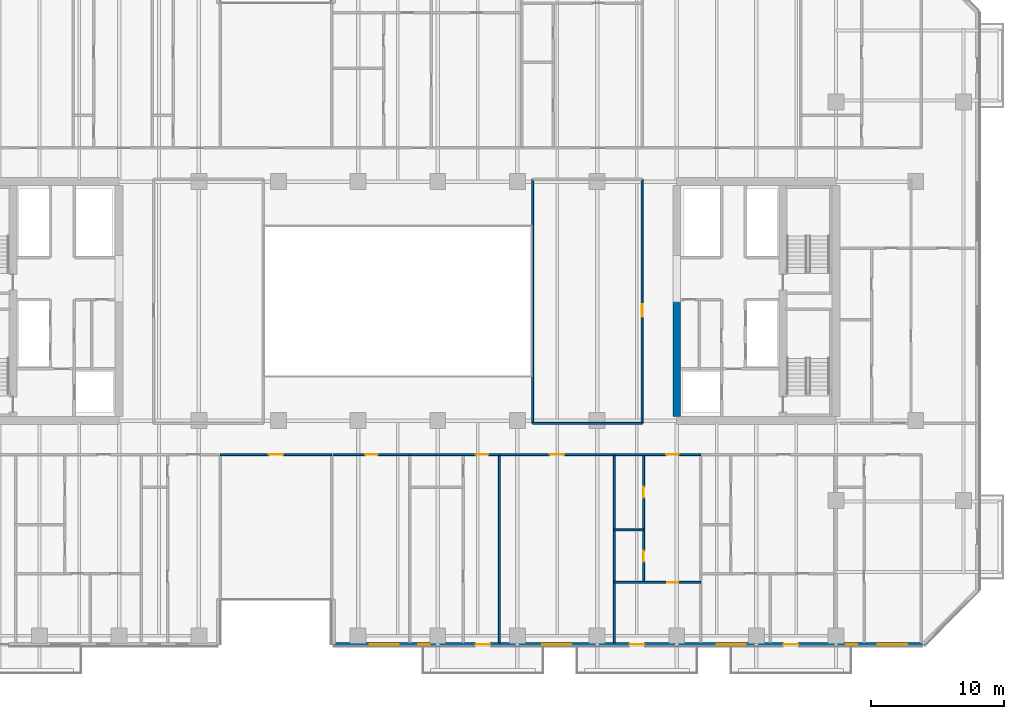
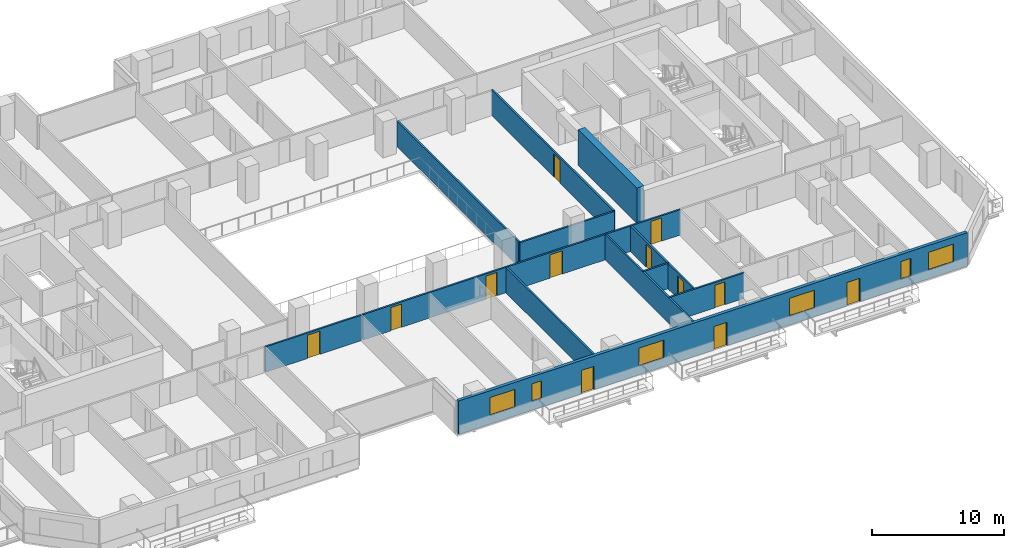
# One storey, part 12 of 26: 15 walls, 12 doors, 6 windows, 18 openings.
"""IFC4 building model written with IfcOpenShell, lengths in metres."""

from ifc_helpers import new_model, si_unit, direction, frame, frame_2d, origin, place, context, subcontext, project, spatial, rectangle, extrude, material, layer, layer_set, type_object, element, fill, save


model = new_model("IFC4")

# Units and contexts
model_context = context("Model", 3, precision=1e-05, world=origin(), true_north=direction((0.0, 1.0)))
body_context = subcontext(model_context, "Body", "Model", "MODEL_VIEW")
ifc_project = project(units=[si_unit("LENGTHUNIT", "METRE"), si_unit("AREAUNIT", "SQUARE_METRE"), si_unit("VOLUMEUNIT", "CUBIC_METRE"), si_unit("PLANEANGLEUNIT", "RADIAN"), si_unit("MASSUNIT", "GRAM", prefix="KILO")], contexts=[model_context])

# Site, building, storey
site_placement = place(None, origin())
site = spatial("IfcSite", under=ifc_project, at=site_placement, CompositionType="ELEMENT")
building_placement = place(site_placement, origin())
building = spatial("IfcBuilding", under=site, at=building_placement, Name="Tanjung Sevakor Pilgrim Tower", CompositionType="ELEMENT")
storey_placement = place(building_placement, frame((0.0, 0.0, 45.5400390625)))
storey = spatial("IfcBuildingStorey", under=building, at=storey_placement, Name="L12", CompositionType="ELEMENT", Elevation=45.5400390625)

# Walls
ifc_material_1 = material(Name="Concrete C60/75", Category="concrete")
ifc_layer_1 = layer(ifc_material_1, 0.60009765625)
ifc_layer_set_1 = layer_set([ifc_layer_1], Name="WALL-CW-600")
wall_type_1 = type_object("IfcWallType", Name="WALL-CW-600", PredefinedType="SHEAR", material=ifc_layer_set_1)
wall_1_placement = place(storey_placement, frame((78.0, 24.89990234375, 0.0), z_axis=(0.0, 0.0, 1.0), x_axis=(0.0, 1.0, 0.0)))
element("IfcWall", 1, at=wall_1_placement, inside=storey, type_object=wall_type_1, Name="L12 E Core Inner Shear Wall South", PredefinedType="SHEAR", context=body_context, shape_type="SweptSolid", body=[
    extrude(rectangle(XDim=8.900146484375, YDim=0.60009765625, at=frame_2d((4.4501953125, 0.0))), origin(), (0.0, 0.0, 1.0), 3.300048828125),
])
ifc_material_2 = material(Name="Concrete C40/50", Category="concrete")
ifc_layer_2 = layer(ifc_material_2, 0.14990234375)
ifc_layer_set_2 = layer_set([ifc_layer_2], Name="WT-COMP-150")
wall_type_2 = type_object("IfcWallType", Name="WT-COMP-150", PredefinedType="SOLIDWALL", material=ifc_layer_set_2)
wall_2_placement = place(storey_placement, frame((67.14990234375, 24.39990234375, 0.0), z_axis=(0.0, 0.0, 1.0), x_axis=(1.0, 0.0, 0.0)))
element("IfcWall", 2, at=wall_2_placement, inside=storey, type_object=wall_type_2, Name="L12 Partition IW-L12-029", PredefinedType="SOLIDWALL", context=body_context, shape_type="SweptSolid", body=[
    extrude(rectangle(XDim=8.25, YDim=0.14990234375, at=frame_2d((4.125, 0.0))), origin(), (0.0, 0.0, 1.0), 2.295166015625),
])
wall_3_placement = place(storey_placement, frame((67.14990234375, 24.39990234375, 0.0), z_axis=(0.0, 0.0, 1.0), x_axis=(0.0, 1.0, 0.0)))
element("IfcWall", 3, at=wall_3_placement, inside=storey, type_object=wall_type_2, Name="L12 Partition IW-L12-031", PredefinedType="SOLIDWALL", context=body_context, shape_type="SweptSolid", body=[
    extrude(rectangle(XDim=18.400146484375, YDim=0.14990234375, at=frame_2d((9.2001953125, 0.0))), origin(), (0.0, 0.0, 1.0), 2.35009765625),
])

# Wall, opening, door
wall_4_placement = place(storey_placement, frame((75.39990234375, 24.39990234375, 0.0), z_axis=(0.0, 0.0, 1.0), x_axis=(0.0, 1.0, 0.0)))
wall_4 = element("IfcWall", 4, at=wall_4_placement, inside=storey, type_object=wall_type_2, Name="L12 Partition IW-L12-032", PredefinedType="SOLIDWALL", context=body_context, shape_type="SweptSolid", body=[
    extrude(rectangle(XDim=18.400146484375, YDim=0.14990234375, at=frame_2d((9.2001953125, 0.0))), origin(), (0.0, 0.0, 1.0), 2.35009765625),
])
opening_1_placement = place(wall_4_placement, frame((8.02490234375, 0.0, 0.0)))
opening_1 = element("IfcOpeningElement", 5, at=opening_1_placement, cuts=wall_4, Name="Opening ID-RM1", PredefinedType="OPENING", context=body_context, shape_type="SweptSolid", body=[
    extrude(rectangle(XDim=0.949951171875, YDim=2.14990234375, at=frame_2d((0.47509765625, 1.074951171875))), frame((0.0, 0.0849609375, 0.0), z_axis=(0.0, -1.0, 0.0), x_axis=(1.0, 0.0, 0.0)), (0.0, 0.0, 1.0), 0.169921875),
])
ifc_material_3 = material(Name="Hardwood Timber", Category="wood")
door_type_1 = type_object("IfcDoorType", Name="DT-INT-950", OperationType="NOTDEFINED", PredefinedType="DOOR", material=ifc_material_3)
door_1_placement = place(opening_1_placement, origin())
door_1 = element("IfcDoor", 6, at=door_1_placement, inside=storey, type_object=door_type_1, Name="L12 Central East Room Door", OperationType="SINGLE_SWING_LEFT", OverallHeight=2.14990234375, OverallWidth=0.949951171875, PredefinedType="DOOR", context=body_context, shape_type="SweptSolid", body=[
    extrude(rectangle(XDim=0.949951171875, YDim=2.14990234375, at=frame_2d((0.47509765625, 1.074951171875))), frame((0.0, 0.02490234375, 0.0), z_axis=(0.0, -1.0, 0.0), x_axis=(1.0, 0.0, 0.0)), (0.0, 0.0, 1.0), 0.050048828125),
])
fill(opening_1, door_1)

wall_5_placement = place(storey_placement, frame((43.60009765625, 22.050048828125, 0.0), z_axis=(0.0, 0.0, 1.0), x_axis=(1.0, 0.0, 0.0)))
wall_5 = element("IfcWall", 7, at=wall_5_placement, inside=storey, type_object=wall_type_2, Name="L12 Partition IW-L12-040", PredefinedType="SOLIDWALL", context=body_context, shape_type="SweptSolid", body=[
    extrude(rectangle(XDim=8.39990234375, YDim=0.14990234375, at=frame_2d((4.199951171875, 0.0))), origin(), (0.0, 0.0, 1.0), 2.35009765625),
])
opening_2_placement = place(wall_5_placement, frame((3.64990234375, 0.0, 0.0)))
opening_2 = element("IfcOpeningElement", 8, at=opening_2_placement, cuts=wall_5, Name="Opening ID-RM2", PredefinedType="OPENING", context=body_context, shape_type="SweptSolid", body=[
    extrude(rectangle(XDim=1.10009765625, YDim=2.14990234375, at=frame_2d((0.550048828125, 1.074951171875))), frame((0.0, 0.0849609375, 0.0), z_axis=(0.0, -1.0, 0.0), x_axis=(1.0, 0.0, 0.0)), (0.0, 0.0, 1.0), 0.169921875),
])
ifc_material_4 = material(Name="Hardwood Timber", Category="wood")
door_type_2 = type_object("IfcDoorType", Name="DT-INT-1100", OperationType="NOTDEFINED", PredefinedType="DOOR", material=ifc_material_4)
door_2_placement = place(opening_2_placement, origin())
door_2 = element("IfcDoor", 9, at=door_2_placement, inside=storey, type_object=door_type_2, Name="L12 South Cleft Communal Lounge Door", OperationType="SINGLE_SWING_LEFT", OverallHeight=2.14990234375, OverallWidth=1.10009765625, PredefinedType="DOOR", context=body_context, shape_type="SweptSolid", body=[
    extrude(rectangle(XDim=1.10009765625, YDim=2.14990234375, at=frame_2d((0.550048828125, 1.074951171875))), frame((0.0, 0.02490234375, 0.0), z_axis=(0.0, -1.0, 0.0), x_axis=(1.0, 0.0, 0.0)), (0.0, 0.0, 1.0), 0.050048828125),
])
fill(opening_2, door_2)

wall_6_placement = place(storey_placement, frame((52.1201171875, 22.050048828125, 0.0), z_axis=(0.0, 0.0, 1.0), x_axis=(1.0, 0.0, 0.0)))
wall_6 = element("IfcWall", 10, at=wall_6_placement, inside=storey, type_object=wall_type_2, Name="L12 Partition IW-L12-060", PredefinedType="SOLIDWALL", context=body_context, shape_type="SweptSolid", body=[
    extrude(rectangle(XDim=5.775634765625, YDim=0.14990234375, at=frame_2d((2.8876953125, 0.0))), origin(), (0.0, 0.0, 1.0), 2.35009765625),
])
opening_3_placement = place(wall_6_placement, frame((2.412841796875, 0.0, 0.0)))
opening_3 = element("IfcOpeningElement", 11, at=opening_3_placement, cuts=wall_6, Name="Opening ID-FD2", PredefinedType="OPENING", context=body_context, shape_type="SweptSolid", body=[
    extrude(rectangle(XDim=0.949951171875, YDim=2.14990234375, at=frame_2d((0.47509765625, 1.074951171875))), frame((0.0, 0.0849609375, 0.0), z_axis=(0.0, -1.0, 0.0), x_axis=(1.0, 0.0, 0.0)), (0.0, 0.0, 1.0), 0.169921875),
])
ifc_material_5 = material(Name="Fire-Rated Timber", Category="wood")
door_type_3 = type_object("IfcDoorType", Name="DT-FIRE-950", OperationType="NOTDEFINED", PredefinedType="DOOR", material=ifc_material_5)
door_3_placement = place(opening_3_placement, origin())
door_3 = element("IfcDoor", 12, at=door_3_placement, inside=storey, type_object=door_type_3, Name="Housekeeping Pantry Door", OperationType="SINGLE_SWING_RIGHT", OverallHeight=2.14990234375, OverallWidth=0.949951171875, PredefinedType="DOOR", context=body_context, shape_type="SweptSolid", body=[
    extrude(rectangle(XDim=0.949951171875, YDim=2.14990234375, at=frame_2d((0.47509765625, 1.074951171875))), frame((0.0, 0.02490234375, 0.0), z_axis=(0.0, -1.0, 0.0), x_axis=(1.0, 0.0, 0.0)), (0.0, 0.0, 1.0), 0.050048828125),
])
fill(opening_3, door_3)

# Wall
wall_7_placement = place(storey_placement, frame((64.634033203125, 7.8798828125, 0.0), z_axis=(0.0, 0.0, 1.0), x_axis=(0.0, 1.0, 0.0)))
element("IfcWall", 13, at=wall_7_placement, inside=storey, type_object=wall_type_2, Name="L12 Partition IW-L12-061", PredefinedType="SOLIDWALL", context=body_context, shape_type="SweptSolid", body=[
    extrude(rectangle(XDim=14.170166015625, YDim=0.14990234375, at=frame_2d((7.0849609375, 0.0))), origin(), (0.0, 0.0, 1.0), 2.35009765625),
])

# Wall, opening, door
wall_8_placement = place(storey_placement, frame((57.895751953125, 22.050048828125, 0.0), z_axis=(0.0, 0.0, 1.0), x_axis=(1.0, 0.0, 0.0)))
wall_8 = element("IfcWall", 14, at=wall_8_placement, inside=storey, type_object=wall_type_2, Name="L12 Partition IW-L12-064", PredefinedType="SOLIDWALL", context=body_context, shape_type="SweptSolid", body=[
    extrude(rectangle(XDim=6.73828125, YDim=0.14990234375, at=frame_2d((3.369140625, 0.0))), origin(), (0.0, 0.0, 1.0), 2.35009765625),
])
opening_4_placement = place(wall_8_placement, frame((4.9462890625, 0.0, 0.0)))
opening_4 = element("IfcOpeningElement", 15, at=opening_4_placement, cuts=wall_8, Name="Opening ID-FD2", PredefinedType="OPENING", context=body_context, shape_type="SweptSolid", body=[
    extrude(rectangle(XDim=0.949951171875, YDim=2.14990234375, at=frame_2d((0.47509765625, 1.074951171875))), frame((0.0, 0.0849609375, 0.0), z_axis=(0.0, -1.0, 0.0), x_axis=(1.0, 0.0, 0.0)), (0.0, 0.0, 1.0), 0.169921875),
])
door_4_placement = place(opening_4_placement, origin())
door_4 = element("IfcDoor", 16, at=door_4_placement, inside=storey, type_object=door_type_3, Name="Hostel Quad Entrance", OperationType="SINGLE_SWING_LEFT", OverallHeight=2.14990234375, OverallWidth=0.949951171875, PredefinedType="DOOR", context=body_context, shape_type="SweptSolid", body=[
    extrude(rectangle(XDim=0.949951171875, YDim=2.14990234375, at=frame_2d((0.47509765625, 1.074951171875))), frame((0.0, 0.02490234375, 0.0), z_axis=(0.0, -1.0, 0.0), x_axis=(1.0, 0.0, 0.0)), (0.0, 0.0, 1.0), 0.050048828125),
])
fill(opening_4, door_4)

# Wall
wall_9_placement = place(storey_placement, frame((73.297607421875, 7.8798828125, 0.0), z_axis=(0.0, 0.0, 1.0), x_axis=(0.0, 1.0, 0.0)))
element("IfcWall", 17, at=wall_9_placement, inside=storey, type_object=wall_type_2, Name="L12 Partition IW-L12-065", PredefinedType="SOLIDWALL", context=body_context, shape_type="SweptSolid", body=[
    extrude(rectangle(XDim=14.170166015625, YDim=0.14990234375, at=frame_2d((7.0849609375, 0.0))), origin(), (0.0, 0.0, 1.0), 2.35009765625),
])

# Wall, opening, door
wall_10_placement = place(storey_placement, frame((64.634033203125, 22.050048828125, 0.0), z_axis=(0.0, 0.0, 1.0), x_axis=(1.0, 0.0, 0.0)))
wall_10 = element("IfcWall", 18, at=wall_10_placement, inside=storey, type_object=wall_type_2, Name="L12 Partition IW-L12-066", PredefinedType="SOLIDWALL", context=body_context, shape_type="SweptSolid", body=[
    extrude(rectangle(XDim=8.66357421875, YDim=0.14990234375, at=frame_2d((4.331787109375, 0.0))), origin(), (0.0, 0.0, 1.0), 2.35009765625),
])
opening_5_placement = place(wall_10_placement, frame((3.78173828125, 0.0, 0.0)))
opening_5 = element("IfcOpeningElement", 19, at=opening_5_placement, cuts=wall_10, Name="Opening ID-FD0", PredefinedType="OPENING", context=body_context, shape_type="SweptSolid", body=[
    extrude(rectangle(XDim=1.10009765625, YDim=2.14990234375, at=frame_2d((0.550048828125, 1.074951171875))), frame((0.0, 0.0849609375, 0.0), z_axis=(0.0, -1.0, 0.0), x_axis=(1.0, 0.0, 0.0)), (0.0, 0.0, 1.0), 0.169921875),
])
ifc_material_6 = material(Name="Fire-Rated Steel S355J2", Category="steel")
door_type_4 = type_object("IfcDoorType", Name="DT-FIRE-1100", OperationType="NOTDEFINED", PredefinedType="DOOR", material=ifc_material_6)
door_5_placement = place(opening_5_placement, origin())
door_5 = element("IfcDoor", 20, at=door_5_placement, inside=storey, type_object=door_type_4, Name="Seminar Room Door", OperationType="SINGLE_SWING_RIGHT", OverallHeight=2.14990234375, OverallWidth=1.10009765625, PredefinedType="DOOR", context=body_context, shape_type="SweptSolid", body=[
    extrude(rectangle(XDim=1.10009765625, YDim=2.14990234375, at=frame_2d((0.550048828125, 1.074951171875))), frame((0.0, 0.02490234375, 0.0), z_axis=(0.0, -1.0, 0.0), x_axis=(1.0, 0.0, 0.0)), (0.0, 0.0, 1.0), 0.050048828125),
])
fill(opening_5, door_5)

wall_11_placement = place(storey_placement, frame((73.297607421875, 22.050048828125, 0.0), z_axis=(0.0, 0.0, 1.0), x_axis=(1.0, 0.0, 0.0)))
wall_11 = element("IfcWall", 21, at=wall_11_placement, inside=storey, type_object=wall_type_2, Name="L12 Partition IW-L12-071", PredefinedType="SOLIDWALL", context=body_context, shape_type="SweptSolid", body=[
    extrude(rectangle(XDim=6.49755859375, YDim=0.14990234375, at=frame_2d((3.248779296875, 0.0))), origin(), (0.0, 0.0, 1.0), 2.35009765625),
])
opening_6_placement = place(wall_11_placement, frame((3.91845703125, 0.0, 0.0)))
opening_6 = element("IfcOpeningElement", 22, at=opening_6_placement, cuts=wall_11, Name="Opening ID-FD2", PredefinedType="OPENING", context=body_context, shape_type="SweptSolid", body=[
    extrude(rectangle(XDim=0.949951171875, YDim=2.14990234375, at=frame_2d((0.47509765625, 1.074951171875))), frame((0.0, 0.0849609375, 0.0), z_axis=(0.0, -1.0, 0.0), x_axis=(1.0, 0.0, 0.0)), (0.0, 0.0, 1.0), 0.169921875),
])
door_6_placement = place(opening_6_placement, origin())
door_6 = element("IfcDoor", 23, at=door_6_placement, inside=storey, type_object=door_type_3, Name="Residence Entrance", OperationType="SINGLE_SWING_RIGHT", OverallHeight=2.14990234375, OverallWidth=0.949951171875, PredefinedType="DOOR", context=body_context, shape_type="SweptSolid", body=[
    extrude(rectangle(XDim=0.949951171875, YDim=2.14990234375, at=frame_2d((0.47509765625, 1.074951171875))), frame((0.0, 0.02490234375, 0.0), z_axis=(0.0, -1.0, 0.0), x_axis=(1.0, 0.0, 0.0)), (0.0, 0.0, 1.0), 0.050048828125),
])
fill(opening_6, door_6)

# Wall, openings, doors, windows
ifc_material_7 = material(Name="Precast concrete C45/55", Category="concrete")
ifc_layer_3 = layer(ifc_material_7, 0.280029296875)
ifc_layer_set_3 = layer_set([ifc_layer_3], Name="WT-EW-STN2")
wall_type_3 = type_object("IfcWallType", Name="WT-EW-STN2", PredefinedType="SOLIDWALL", material=ifc_layer_set_3)
wall_12_placement = place(storey_placement, frame((52.139892578125, 7.739990234375, 0.0), z_axis=(0.0, 0.0, 1.0), x_axis=(1.0, 0.0, 0.0)))
wall_12 = element("IfcWall", 24, at=wall_12_placement, inside=storey, type_object=wall_type_3, Name="L12 MAIN Exterior Wall 5", PredefinedType="SOLIDWALL", context=body_context, shape_type="SweptSolid", body=[
    extrude(rectangle(XDim=44.402099609375, YDim=0.280029296875, at=frame_2d((22.201171875, 0.0))), origin(), (0.0, 0.0, 1.0), 3.080078125),
])
opening_7_placement = place(wall_12_placement, frame((10.7099609375, 0.0, 0.0)))
opening_7 = element("IfcOpeningElement", 25, at=opening_7_placement, cuts=wall_12, Name="Opening ED-BAL-1100", PredefinedType="OPENING", context=body_context, shape_type="SweptSolid", body=[
    extrude(rectangle(XDim=1.10009765625, YDim=2.14990234375, at=frame_2d((0.550048828125, 1.074951171875))), frame((0.0, 0.14990234375, 0.0), z_axis=(0.0, -1.0, 0.0), x_axis=(1.0, 0.0, 0.0)), (0.0, 0.0, 1.0), 0.300048828125),
])
opening_8_placement = place(wall_12_placement, frame((22.31005859375, 0.0, 0.0)))
opening_8 = element("IfcOpeningElement", 26, at=opening_8_placement, cuts=wall_12, Name="Opening ED-BAL-1100", PredefinedType="OPENING", context=body_context, shape_type="SweptSolid", body=[
    extrude(rectangle(XDim=1.10009765625, YDim=2.14990234375, at=frame_2d((0.550048828125, 1.074951171875))), frame((0.0, 0.14990234375, 0.0), z_axis=(0.0, -1.0, 0.0), x_axis=(1.0, 0.0, 0.0)), (0.0, 0.0, 1.0), 0.300048828125),
])
opening_9_placement = place(wall_12_placement, frame((33.909912109375, 0.0, 0.0)))
opening_9 = element("IfcOpeningElement", 27, at=opening_9_placement, cuts=wall_12, Name="Opening ED-BAL-1100", PredefinedType="OPENING", context=body_context, shape_type="SweptSolid", body=[
    extrude(rectangle(XDim=1.10009765625, YDim=2.14990234375, at=frame_2d((0.550048828125, 1.074951171875))), frame((0.0, 0.14990234375, 0.0), z_axis=(0.0, -1.0, 0.0), x_axis=(1.0, 0.0, 0.0)), (0.0, 0.0, 1.0), 0.300048828125),
])
opening_10_placement = place(wall_12_placement, frame((2.727783203125, 0.0, 0.780029296875)))
opening_10 = element("IfcOpeningElement", 28, at=opening_10_placement, cuts=wall_12, Name="Opening WN-Z1-1660", PredefinedType="OPENING", context=body_context, shape_type="SweptSolid", body=[
    extrude(rectangle(XDim=2.199951171875, YDim=1.659912109375, at=frame_2d((1.10009765625, 0.830078125))), frame((0.0, 0.14990234375, 0.0), z_axis=(0.0, -1.0, 0.0), x_axis=(1.0, 0.0, 0.0)), (0.0, 0.0, 1.0), 0.300048828125),
])
opening_11_placement = place(wall_12_placement, frame((6.392822265625, 0.0, 0.780029296875)))
opening_11 = element("IfcOpeningElement", 29, at=opening_11_placement, cuts=wall_12, Name="Opening WN-SLM", PredefinedType="OPENING", context=body_context, shape_type="SweptSolid", body=[
    extrude(rectangle(XDim=0.85009765625, YDim=1.64990234375, at=frame_2d((0.425048828125, 0.824951171875))), frame((0.0, 0.14990234375, 0.0), z_axis=(0.0, -1.0, 0.0), x_axis=(1.0, 0.0, 0.0)), (0.0, 0.0, 1.0), 0.300048828125),
])
opening_12_placement = place(wall_12_placement, frame((15.7255859375, 0.0, 0.780029296875)))
opening_12 = element("IfcOpeningElement", 30, at=opening_12_placement, cuts=wall_12, Name="Opening WN-Z1-1660", PredefinedType="OPENING", context=body_context, shape_type="SweptSolid", body=[
    extrude(rectangle(XDim=2.199951171875, YDim=1.659912109375, at=frame_2d((1.10009765625, 0.830078125))), frame((0.0, 0.14990234375, 0.0), z_axis=(0.0, -1.0, 0.0), x_axis=(1.0, 0.0, 0.0)), (0.0, 0.0, 1.0), 0.300048828125),
])
opening_13_placement = place(wall_12_placement, frame((28.873046875, 0.0, 0.780029296875)))
opening_13 = element("IfcOpeningElement", 31, at=opening_13_placement, cuts=wall_12, Name="Opening WN-Z1-1660", PredefinedType="OPENING", context=body_context, shape_type="SweptSolid", body=[
    extrude(rectangle(XDim=2.199951171875, YDim=1.659912109375, at=frame_2d((1.10009765625, 0.830078125))), frame((0.0, 0.14990234375, 0.0), z_axis=(0.0, -1.0, 0.0), x_axis=(1.0, 0.0, 0.0)), (0.0, 0.0, 1.0), 0.300048828125),
])
opening_14_placement = place(wall_12_placement, frame((38.612060546875, 0.0, 0.780029296875)))
opening_14 = element("IfcOpeningElement", 32, at=opening_14_placement, cuts=wall_12, Name="Opening WN-SLM", PredefinedType="OPENING", context=body_context, shape_type="SweptSolid", body=[
    extrude(rectangle(XDim=0.85009765625, YDim=1.64990234375, at=frame_2d((0.425048828125, 0.824951171875))), frame((0.0, 0.14990234375, 0.0), z_axis=(0.0, -1.0, 0.0), x_axis=(1.0, 0.0, 0.0)), (0.0, 0.0, 1.0), 0.300048828125),
])
opening_15_placement = place(wall_12_placement, frame((41.005859375, 0.0, 0.780029296875)))
opening_15 = element("IfcOpeningElement", 33, at=opening_15_placement, cuts=wall_12, Name="Opening WN-Z1-1660", PredefinedType="OPENING", context=body_context, shape_type="SweptSolid", body=[
    extrude(rectangle(XDim=2.199951171875, YDim=1.659912109375, at=frame_2d((1.10009765625, 0.830078125))), frame((0.0, 0.14990234375, 0.0), z_axis=(0.0, -1.0, 0.0), x_axis=(1.0, 0.0, 0.0)), (0.0, 0.0, 1.0), 0.300048828125),
])
ifc_material_8 = material(Name="Anodised Aluminium and Laminated Glass", Category="aluminium")
door_type_5 = type_object("IfcDoorType", Name="DTYP-ED-BAL-1100", OperationType="NOTDEFINED", PredefinedType="DOOR", material=ifc_material_8)
door_7_placement = place(opening_7_placement, frame((1.10009765625, 0.0, 0.0), z_axis=(0.0, 0.0, 1.0), x_axis=(-1.0, 0.0, 0.0)))
door_7 = element("IfcDoor", 34, at=door_7_placement, inside=storey, type_object=door_type_5, Name="L12 Balcony Door MAIN-S2", OperationType="SINGLE_SWING_LEFT", OverallHeight=2.14990234375, OverallWidth=1.10009765625, PredefinedType="DOOR", context=body_context, shape_type="SweptSolid", body=[
    extrude(rectangle(XDim=1.10009765625, YDim=2.14990234375, at=frame_2d((0.550048828125, 1.074951171875))), frame((0.0, 0.02490234375, 0.0), z_axis=(0.0, -1.0, 0.0), x_axis=(1.0, 0.0, 0.0)), (0.0, 0.0, 1.0), 0.050048828125),
])
fill(opening_7, door_7)
door_8_placement = place(opening_8_placement, frame((1.10009765625, 0.0, 0.0), z_axis=(0.0, 0.0, 1.0), x_axis=(-1.0, 0.0, 0.0)))
door_8 = element("IfcDoor", 35, at=door_8_placement, inside=storey, type_object=door_type_5, Name="L12 Balcony Door MAIN-S3", OperationType="SINGLE_SWING_RIGHT", OverallHeight=2.14990234375, OverallWidth=1.10009765625, PredefinedType="DOOR", context=body_context, shape_type="SweptSolid", body=[
    extrude(rectangle(XDim=1.10009765625, YDim=2.14990234375, at=frame_2d((0.550048828125, 1.074951171875))), frame((0.0, 0.02490234375, 0.0), z_axis=(0.0, -1.0, 0.0), x_axis=(1.0, 0.0, 0.0)), (0.0, 0.0, 1.0), 0.050048828125),
])
fill(opening_8, door_8)
door_9_placement = place(opening_9_placement, frame((1.10009765625, 0.0, 0.0), z_axis=(0.0, 0.0, 1.0), x_axis=(-1.0, 0.0, 0.0)))
door_9 = element("IfcDoor", 36, at=door_9_placement, inside=storey, type_object=door_type_5, Name="L12 Balcony Door MAIN-S4", OperationType="SINGLE_SWING_LEFT", OverallHeight=2.14990234375, OverallWidth=1.10009765625, PredefinedType="DOOR", context=body_context, shape_type="SweptSolid", body=[
    extrude(rectangle(XDim=1.10009765625, YDim=2.14990234375, at=frame_2d((0.550048828125, 1.074951171875))), frame((0.0, 0.02490234375, 0.0), z_axis=(0.0, -1.0, 0.0), x_axis=(1.0, 0.0, 0.0)), (0.0, 0.0, 1.0), 0.050048828125),
])
fill(opening_9, door_9)
ifc_material_9 = material(Name="Thermally Broken Aluminium and Low-E Glass", Category="aluminium")
window_type_1 = type_object("IfcWindowType", Name="WTYP-WN-SLM", PartitioningType="SINGLE_PANEL", PredefinedType="WINDOW", material=ifc_material_9)
window_1_placement = place(opening_11_placement, origin())
window_1 = element("IfcWindow", 37, at=window_1_placement, inside=storey, type_object=window_type_1, Name="L12 Facade Window 02", OverallHeight=1.64990234375, OverallWidth=0.85009765625, PartitioningType="SINGLE_PANEL", PredefinedType="WINDOW", context=body_context, shape_type="SweptSolid", body=[
    extrude(rectangle(XDim=0.85009765625, YDim=1.64990234375, at=frame_2d((0.425048828125, 0.824951171875))), frame((0.0, 0.030029296875, 0.0), z_axis=(0.0, -1.0, 0.0), x_axis=(1.0, 0.0, 0.0)), (0.0, 0.0, 1.0), 0.06005859375),
])
fill(opening_11, window_1)
window_2_placement = place(opening_14_placement, origin())
window_2 = element("IfcWindow", 38, at=window_2_placement, inside=storey, type_object=window_type_1, Name="L12 Facade Window 05", OverallHeight=1.64990234375, OverallWidth=0.85009765625, PartitioningType="SINGLE_PANEL", PredefinedType="WINDOW", context=body_context, shape_type="SweptSolid", body=[
    extrude(rectangle(XDim=0.85009765625, YDim=1.64990234375, at=frame_2d((0.425048828125, 0.824951171875))), frame((0.0, 0.030029296875, 0.0), z_axis=(0.0, -1.0, 0.0), x_axis=(1.0, 0.0, 0.0)), (0.0, 0.0, 1.0), 0.06005859375),
])
fill(opening_14, window_2)
ifc_material_10 = material(Name="Thermally Broken Aluminium and Low-E Glass", Category="aluminium")
window_type_2 = type_object("IfcWindowType", Name="WTYP-WN-Z1-1660", PartitioningType="DOUBLE_PANEL_VERTICAL", PredefinedType="WINDOW", material=ifc_material_10)
window_3_placement = place(opening_10_placement, origin())
window_3 = element("IfcWindow", 39, at=window_3_placement, inside=storey, type_object=window_type_2, Name="L12 Facade Window 01", OverallHeight=1.659912109375, OverallWidth=2.199951171875, PartitioningType="SINGLE_PANEL", PredefinedType="WINDOW", context=body_context, shape_type="SweptSolid", body=[
    extrude(rectangle(XDim=2.199951171875, YDim=1.659912109375, at=frame_2d((1.10009765625, 0.830078125))), frame((0.0, 0.030029296875, 0.0), z_axis=(0.0, -1.0, 0.0), x_axis=(1.0, 0.0, 0.0)), (0.0, 0.0, 1.0), 0.06005859375),
])
fill(opening_10, window_3)
window_4_placement = place(opening_12_placement, origin())
window_4 = element("IfcWindow", 40, at=window_4_placement, inside=storey, type_object=window_type_2, Name="L12 Facade Window 03", OverallHeight=1.659912109375, OverallWidth=2.199951171875, PartitioningType="SINGLE_PANEL", PredefinedType="WINDOW", context=body_context, shape_type="SweptSolid", body=[
    extrude(rectangle(XDim=2.199951171875, YDim=1.659912109375, at=frame_2d((1.10009765625, 0.830078125))), frame((0.0, 0.030029296875, 0.0), z_axis=(0.0, -1.0, 0.0), x_axis=(1.0, 0.0, 0.0)), (0.0, 0.0, 1.0), 0.06005859375),
])
fill(opening_12, window_4)
window_5_placement = place(opening_13_placement, origin())
window_5 = element("IfcWindow", 41, at=window_5_placement, inside=storey, type_object=window_type_2, Name="L12 Facade Window 04", OverallHeight=1.659912109375, OverallWidth=2.199951171875, PartitioningType="SINGLE_PANEL", PredefinedType="WINDOW", context=body_context, shape_type="SweptSolid", body=[
    extrude(rectangle(XDim=2.199951171875, YDim=1.659912109375, at=frame_2d((1.10009765625, 0.830078125))), frame((0.0, 0.030029296875, 0.0), z_axis=(0.0, -1.0, 0.0), x_axis=(1.0, 0.0, 0.0)), (0.0, 0.0, 1.0), 0.06005859375),
])
fill(opening_13, window_5)
window_6_placement = place(opening_15_placement, origin())
window_6 = element("IfcWindow", 42, at=window_6_placement, inside=storey, type_object=window_type_2, Name="L12 Facade Window 06", OverallHeight=1.659912109375, OverallWidth=2.199951171875, PartitioningType="SINGLE_PANEL", PredefinedType="WINDOW", context=body_context, shape_type="SweptSolid", body=[
    extrude(rectangle(XDim=2.199951171875, YDim=1.659912109375, at=frame_2d((1.10009765625, 0.830078125))), frame((0.0, 0.030029296875, 0.0), z_axis=(0.0, -1.0, 0.0), x_axis=(1.0, 0.0, 0.0)), (0.0, 0.0, 1.0), 0.06005859375),
])
fill(opening_15, window_6)

# Wall
ifc_material_11 = material(Name="Gypsum Board Partition", Category="gypsum board")
ifc_layer_4 = layer(ifc_material_11, 0.14990234375)
ifc_layer_set_4 = layer_set([ifc_layer_4], Name="WT-PART-150")
wall_type_4 = type_object("IfcWallType", Name="WT-PART-150", PredefinedType="PARTITIONING", material=ifc_layer_set_4)
wall_13_placement = place(storey_placement, frame((73.297607421875, 16.368408203125, 0.0), z_axis=(0.0, 0.0, 1.0), x_axis=(1.0, 0.0, 0.0)))
element("IfcWall", 43, at=wall_13_placement, inside=storey, type_object=wall_type_4, Name="L12 Partition IW-L12-068", PredefinedType="PARTITIONING", context=body_context, shape_type="SweptSolid", body=[
    extrude(rectangle(XDim=2.208984375, YDim=0.14990234375, at=frame_2d((1.1044921875, 0.0))), origin(), (0.0, 0.0, 1.0), 2.35009765625),
])

# Wall, openings, doors
wall_14_placement = place(storey_placement, frame((75.506591796875, 12.420166015625, 0.0), z_axis=(0.0, 0.0, 1.0), x_axis=(0.0, 1.0, 0.0)))
wall_14 = element("IfcWall", 44, at=wall_14_placement, inside=storey, type_object=wall_type_4, Name="L12 Partition IW-L12-069", PredefinedType="PARTITIONING", context=body_context, shape_type="SweptSolid", body=[
    extrude(rectangle(XDim=9.6298828125, YDim=0.14990234375, at=frame_2d((4.81494140625, 0.0))), origin(), (0.0, 0.0, 1.0), 2.35009765625),
])
opening_16_placement = place(wall_14_placement, frame((1.54931640625, 0.0, 0.0)))
opening_16 = element("IfcOpeningElement", 45, at=opening_16_placement, cuts=wall_14, Name="Opening ID-WC1", PredefinedType="OPENING", context=body_context, shape_type="SweptSolid", body=[
    extrude(rectangle(XDim=0.85009765625, YDim=2.10009765625, at=frame_2d((0.425048828125, 1.050048828125))), frame((0.0, 0.0849609375, 0.0), z_axis=(0.0, -1.0, 0.0), x_axis=(1.0, 0.0, 0.0)), (0.0, 0.0, 1.0), 0.169921875),
])
opening_17_placement = place(wall_14_placement, frame((6.364013671875, 0.0, 0.0)))
opening_17 = element("IfcOpeningElement", 46, at=opening_17_placement, cuts=wall_14, Name="Opening ID-WC1", PredefinedType="OPENING", context=body_context, shape_type="SweptSolid", body=[
    extrude(rectangle(XDim=0.85009765625, YDim=2.10009765625, at=frame_2d((0.425048828125, 1.050048828125))), frame((0.0, 0.0849609375, 0.0), z_axis=(0.0, -1.0, 0.0), x_axis=(1.0, 0.0, 0.0)), (0.0, 0.0, 1.0), 0.169921875),
])
ifc_material_12 = material(Name="Moisture-Resistant Timber", Category="wood")
door_type_6 = type_object("IfcDoorType", Name="DT-INT-850", OperationType="NOTDEFINED", PredefinedType="DOOR", material=ifc_material_12)
door_10_placement = place(opening_16_placement, origin())
door_10 = element("IfcDoor", 47, at=door_10_placement, inside=storey, type_object=door_type_6, Name="Residence Bathroom Door", OperationType="SINGLE_SWING_LEFT", OverallHeight=2.10009765625, OverallWidth=0.85009765625, PredefinedType="DOOR", context=body_context, shape_type="SweptSolid", body=[
    extrude(rectangle(XDim=0.85009765625, YDim=2.10009765625, at=frame_2d((0.425048828125, 1.050048828125))), frame((0.0, 0.02490234375, 0.0), z_axis=(0.0, -1.0, 0.0), x_axis=(1.0, 0.0, 0.0)), (0.0, 0.0, 1.0), 0.050048828125),
])
fill(opening_16, door_10)
door_11_placement = place(opening_17_placement, origin())
door_11 = element("IfcDoor", 48, at=door_11_placement, inside=storey, type_object=door_type_6, Name="Residence Kitchenette Door", OperationType="SINGLE_SWING_RIGHT", OverallHeight=2.10009765625, OverallWidth=0.85009765625, PredefinedType="DOOR", context=body_context, shape_type="SweptSolid", body=[
    extrude(rectangle(XDim=0.85009765625, YDim=2.10009765625, at=frame_2d((0.425048828125, 1.050048828125))), frame((0.0, 0.02490234375, 0.0), z_axis=(0.0, -1.0, 0.0), x_axis=(1.0, 0.0, 0.0)), (0.0, 0.0, 1.0), 0.050048828125),
])
fill(opening_17, door_11)

# Wall, opening, door
wall_15_placement = place(storey_placement, frame((73.297607421875, 12.420166015625, 0.0), z_axis=(0.0, 0.0, 1.0), x_axis=(1.0, 0.0, 0.0)))
wall_15 = element("IfcWall", 49, at=wall_15_placement, inside=storey, type_object=wall_type_4, Name="L12 Partition IW-L12-070", PredefinedType="PARTITIONING", context=body_context, shape_type="SweptSolid", body=[
    extrude(rectangle(XDim=6.49755859375, YDim=0.14990234375, at=frame_2d((3.248779296875, 0.0))), origin(), (0.0, 0.0, 1.0), 2.35009765625),
])
opening_18_placement = place(wall_15_placement, frame((3.968505859375, 0.0, 0.0)))
opening_18 = element("IfcOpeningElement", 50, at=opening_18_placement, cuts=wall_15, Name="Opening ID-WC1", PredefinedType="OPENING", context=body_context, shape_type="SweptSolid", body=[
    extrude(rectangle(XDim=0.85009765625, YDim=2.10009765625, at=frame_2d((0.425048828125, 1.050048828125))), frame((0.0, 0.0849609375, 0.0), z_axis=(0.0, -1.0, 0.0), x_axis=(1.0, 0.0, 0.0)), (0.0, 0.0, 1.0), 0.169921875),
])
door_12_placement = place(opening_18_placement, origin())
door_12 = element("IfcDoor", 51, at=door_12_placement, inside=storey, type_object=door_type_6, Name="Residence Bedroom Door", OperationType="SINGLE_SWING_LEFT", OverallHeight=2.10009765625, OverallWidth=0.85009765625, PredefinedType="DOOR", context=body_context, shape_type="SweptSolid", body=[
    extrude(rectangle(XDim=0.85009765625, YDim=2.10009765625, at=frame_2d((0.425048828125, 1.050048828125))), frame((0.0, 0.02490234375, 0.0), z_axis=(0.0, -1.0, 0.0), x_axis=(1.0, 0.0, 0.0)), (0.0, 0.0, 1.0), 0.050048828125),
])
fill(opening_18, door_12)

save(model, "model.ifc")
